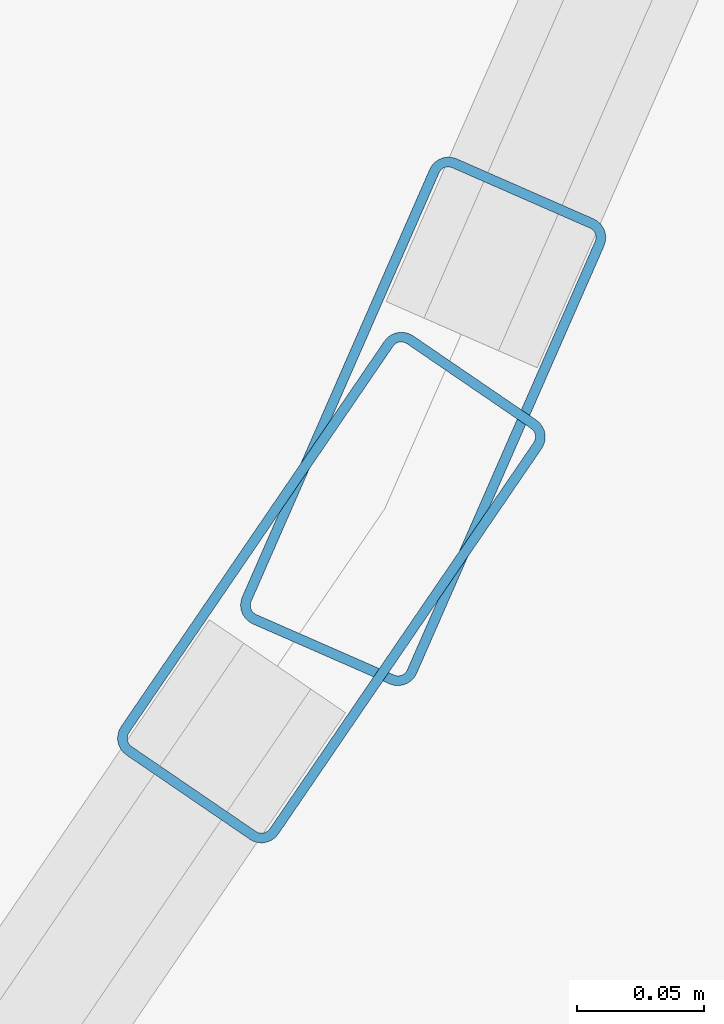
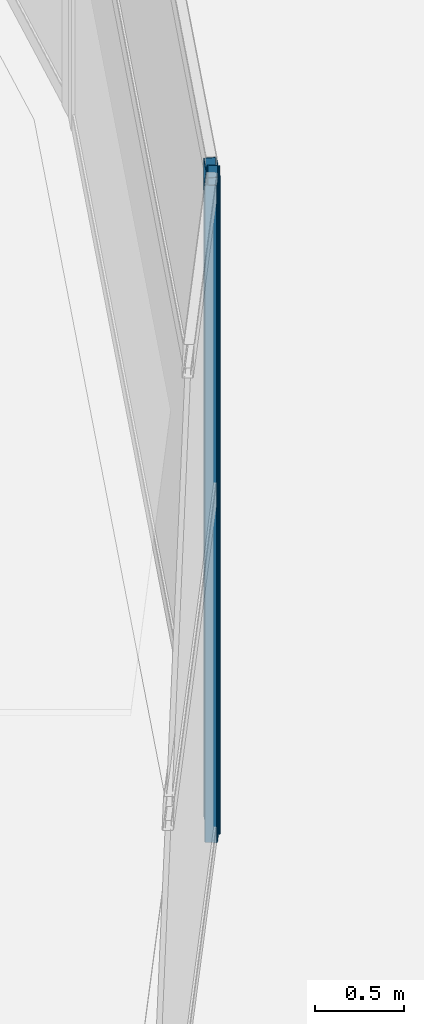
# One storey, part 9 of 42: 2 members, 2 elements without a shape of their own.
"""IFC4 building model written with IfcOpenShell, lengths in metres."""

from ifc_helpers import new_model, si_unit, direction, frame, origin, origin_2d, place, context, subcontext, project, spatial, hollow_rectangle, extrude, material, layer, layer_set, material_profile, profile_set, type_object, element, aggregate, save


model = new_model("IFC4")

# Units and contexts
model_context = context("Model", 3, precision=1e-05, world=origin(), true_north=direction((0.0, 1.0)))
body_context = subcontext(model_context, "Body", "Model", "MODEL_VIEW")
ifc_project = project(units=[si_unit("LENGTHUNIT", "METRE"), si_unit("AREAUNIT", "SQUARE_METRE"), si_unit("VOLUMEUNIT", "CUBIC_METRE"), si_unit("PLANEANGLEUNIT", "RADIAN"), si_unit("MASSUNIT", "GRAM", prefix="KILO")], contexts=[model_context])

# Site, building, storey
site_placement = place(None, origin())
site = spatial("IfcSite", under=ifc_project, at=site_placement, CompositionType="ELEMENT")
building_placement = place(site_placement, origin())
building = spatial("IfcBuilding", under=site, at=building_placement, Name="Qorvath Tower", CompositionType="ELEMENT")
storey_placement = place(building_placement, frame((0.0, 0.0, 105.0)))
storey = spatial("IfcBuildingStorey", under=building, at=storey_placement, Name="L23", CompositionType="ELEMENT", Elevation=105.0)

# Curtain wall, member
ifc_material_1 = material(Name="Anodised aluminium and triple low-E glass", Category="aluminium")
ifc_layer = layer(ifc_material_1, 0.179931640625)
ifc_layer_set = layer_set([ifc_layer], Name="CW-SYS-5")
curtain_wall_type = type_object("IfcCurtainWallType", Name="CW-SYS-5", PredefinedType="NOTDEFINED", material=ifc_layer_set)
curtain_wall_1_placement = place(storey_placement, origin())
curtain_wall_1 = element("IfcCurtainWall", 1, at=curtain_wall_1_placement, inside=storey, type_object=curtain_wall_type, Name="Curtain Wall CW-5 CW-T-L23-5.1", PredefinedType="NOTDEFINED")
ifc_material_2 = material(Name="Anodised aluminium 6063-T6", Category="aluminium")
ifc_material_profile = material_profile(ifc_material_2, hollow_rectangle(XDim=0.074951171875, YDim=0.199951171875, WallThickness=0.00390625, InnerFilletRadius=0.00390625, OuterFilletRadius=0.008056640625, at=origin_2d()), Name="CWM 200x75")
ifc_profile_set = profile_set([ifc_material_profile], Name="Anodised aluminium 6063-T6")
member_type = type_object("IfcMemberType", Name="CWM-200", PredefinedType="MULLION", material=ifc_profile_set)
member_1_placement = place(storey_placement, frame((0.8515625, -18.380615234375, 0.0), z_axis=(0.0, 0.0, 1.0), x_axis=(-0.825692764076, 0.564120075297, 0.0)))
member_1 = element("IfcMember", 2, at=member_1_placement, type_object=member_type, Name="CW-5 mullion 2", PredefinedType="MULLION", context=body_context, shape_type="SweptSolid", body=[
    extrude(hollow_rectangle(XDim=0.074951171875, YDim=0.199951171875, WallThickness=0.00390625, InnerFilletRadius=0.00390625, OuterFilletRadius=0.008056640625, at=origin_2d()), origin(), (0.0, 0.0, 1.0), 4.52001953125),
])
aggregate(curtain_wall_1, [member_1])

curtain_wall_2_placement = place(storey_placement, origin())
curtain_wall_2 = element("IfcCurtainWall", 3, at=curtain_wall_2_placement, inside=storey, type_object=curtain_wall_type, Name="Curtain Wall CW-5 CW-T-L23-6.1", PredefinedType="NOTDEFINED")
member_2_placement = place(storey_placement, frame((0.8876953125, -18.315185546875, 0.0), z_axis=(0.0, 0.0, 1.0), x_axis=(-0.91585067731, 0.401519036748, 0.0)))
member_2 = element("IfcMember", 4, at=member_2_placement, type_object=member_type, Name="CW-5 mullion 1", PredefinedType="MULLION", context=body_context, shape_type="SweptSolid", body=[
    extrude(hollow_rectangle(XDim=0.074951171875, YDim=0.199951171875, WallThickness=0.00390625, InnerFilletRadius=0.00390625, OuterFilletRadius=0.008056640625, at=origin_2d()), origin(), (0.0, 0.0, 1.0), 4.52001953125),
])
aggregate(curtain_wall_2, [member_2])

save(model, "model.ifc")
